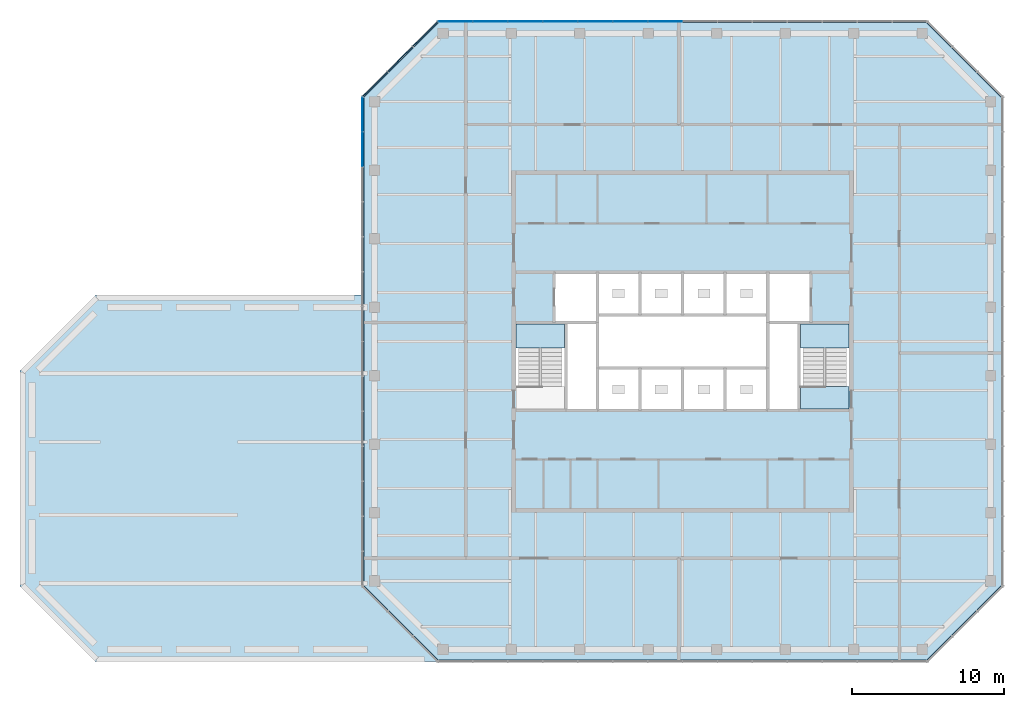
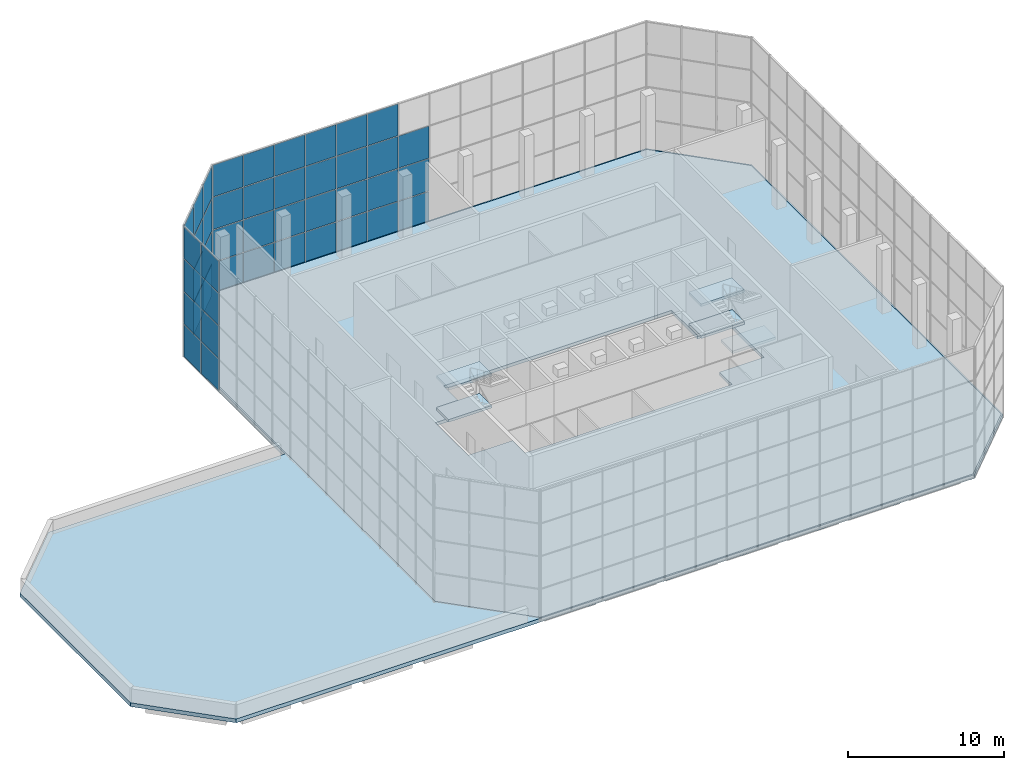
# One storey, part 14 of 19: 47 plates, 7 slabs, 5 elements without a shape of their own.
"""IFC4 building model written with IfcOpenShell, lengths in metres."""

from ifc_helpers import new_model, si_unit, direction, frame, origin, origin_2d, place, context, subcontext, project, spatial, polyline, rectangle, outline, extrude, material, layer, layer_set, constituent, constituent_set, type_object, element, aggregate, save


model = new_model("IFC4")

# Units and contexts
model_context = context("Model", 3, precision=1e-05, world=origin(), true_north=direction((0.0, 1.0)))
body_context = subcontext(model_context, "Body", "Model", "MODEL_VIEW")
ifc_project = project(units=[si_unit("LENGTHUNIT", "METRE"), si_unit("AREAUNIT", "SQUARE_METRE"), si_unit("VOLUMEUNIT", "CUBIC_METRE"), si_unit("PLANEANGLEUNIT", "RADIAN"), si_unit("MASSUNIT", "GRAM", prefix="KILO")], contexts=[model_context])

# Site, building, storey
site_placement = place(None, origin())
site = spatial("IfcSite", under=ifc_project, at=site_placement, CompositionType="ELEMENT")
building_placement = place(site_placement, origin())
building = spatial("IfcBuilding", under=site, at=building_placement, Name="Quoin Convention Tower", CompositionType="ELEMENT")
storey_placement = place(building_placement, frame((0.0, 0.0, 263.699951171875)))
storey = spatial("IfcBuildingStorey", under=building, at=storey_placement, Name="L69", CompositionType="ELEMENT", Elevation=263.699951171875)

# Curtain wall, plates
ifc_material_1 = material(Name="Aluminium", Category="aluminium")
ifc_constituent_1 = constituent(ifc_material_1, Name="Frame")
ifc_material_2 = material(Name="Insulated glass", Category="glass")
ifc_constituent_2 = constituent(ifc_material_2, Name="Glazing")
ifc_constituent_set = constituent_set(constituents=[ifc_constituent_1, ifc_constituent_2], Name="Aluminium")
curtain_wall_type = type_object("IfcCurtainWallType", Name="Lantern wall system", PredefinedType="NOTDEFINED", material=ifc_constituent_set)
curtain_wall_1_placement = place(storey_placement, origin())
curtain_wall_1 = element("IfcCurtainWall", 1, at=curtain_wall_1_placement, inside=storey, type_object=curtain_wall_type, Name="crn-LNW-72000_81000", PredefinedType="NOTDEFINED")
ifc_layer_1 = layer(ifc_material_2, 0.048095703125)
ifc_layer_set_1 = layer_set([ifc_layer_1], Name="Insulated glass")
plate_type = type_object("IfcPlateType", Name="Lantern wall glazing unit 48", PredefinedType="CURTAIN_PANEL", material=ifc_layer_set_1)
plate_1_placement = place(storey_placement, frame((55.1015625, 81.7900390625, -0.18994140625), z_axis=(0.0, 0.0, 1.0), x_axis=(-1.0, 0.0, 0.0)))
plate_1 = element("IfcPlate", 2, at=plate_1_placement, type_object=plate_type, Name="CW5 panel 8.1", PredefinedType="CURTAIN_PANEL", context=body_context, shape_type="SweptSolid", body=[
    extrude(rectangle(XDim=2.23681640625, YDim=0.048095703125, at=origin_2d()), origin(), (0.0, 0.0, 1.0), 2.472412109375),
])
plate_2_placement = place(storey_placement, frame((55.1015625, 81.7900390625, 2.342529296875), z_axis=(0.0, 0.0, 1.0), x_axis=(-1.0, 0.0, 0.0)))
plate_2 = element("IfcPlate", 3, at=plate_2_placement, type_object=plate_type, Name="CW5 panel 8.2", PredefinedType="CURTAIN_PANEL", context=body_context, shape_type="SweptSolid", body=[
    extrude(rectangle(XDim=2.23681640625, YDim=0.048095703125, at=origin_2d()), origin(), (0.0, 0.0, 1.0), 2.50244140625),
])
plate_3_placement = place(storey_placement, frame((55.1015625, 81.7900390625, 4.905029296875), z_axis=(0.0, 0.0, 1.0), x_axis=(-1.0, 0.0, 0.0)))
plate_3 = element("IfcPlate", 4, at=plate_3_placement, type_object=plate_type, Name="CW5 panel 8.3", PredefinedType="CURTAIN_PANEL", context=body_context, shape_type="SweptSolid", body=[
    extrude(rectangle(XDim=2.23681640625, YDim=0.048095703125, at=origin_2d()), origin(), (0.0, 0.0, 1.0), 2.50244140625),
])
plate_4_placement = place(storey_placement, frame((52.804931640625, 81.7900390625, -0.18994140625), z_axis=(0.0, 0.0, 1.0), x_axis=(-1.0, 0.0, 0.0)))
plate_4 = element("IfcPlate", 5, at=plate_4_placement, type_object=plate_type, Name="CW5 panel 9.1", PredefinedType="CURTAIN_PANEL", context=body_context, shape_type="SweptSolid", body=[
    extrude(rectangle(XDim=2.23681640625, YDim=0.048095703125, at=origin_2d()), origin(), (0.0, 0.0, 1.0), 2.472412109375),
])
plate_5_placement = place(storey_placement, frame((52.804931640625, 81.7900390625, 2.342529296875), z_axis=(0.0, 0.0, 1.0), x_axis=(-1.0, 0.0, 0.0)))
plate_5 = element("IfcPlate", 6, at=plate_5_placement, type_object=plate_type, Name="CW5 panel 9.2", PredefinedType="CURTAIN_PANEL", context=body_context, shape_type="SweptSolid", body=[
    extrude(rectangle(XDim=2.23681640625, YDim=0.048095703125, at=origin_2d()), origin(), (0.0, 0.0, 1.0), 2.50244140625),
])
plate_6_placement = place(storey_placement, frame((52.804931640625, 81.7900390625, 4.905029296875), z_axis=(0.0, 0.0, 1.0), x_axis=(-1.0, 0.0, 0.0)))
plate_6 = element("IfcPlate", 7, at=plate_6_placement, type_object=plate_type, Name="CW5 panel 9.3", PredefinedType="CURTAIN_PANEL", context=body_context, shape_type="SweptSolid", body=[
    extrude(rectangle(XDim=2.23681640625, YDim=0.048095703125, at=origin_2d()), origin(), (0.0, 0.0, 1.0), 2.50244140625),
])
plate_7_placement = place(storey_placement, frame((52.804931640625, 81.7900390625, 7.4677734375), z_axis=(0.0, 0.0, 1.0), x_axis=(-1.0, 0.0, 0.0)))
plate_7 = element("IfcPlate", 8, at=plate_7_placement, type_object=plate_type, Name="CW5 panel 9.4", PredefinedType="CURTAIN_PANEL", context=body_context, shape_type="SweptSolid", body=[
    extrude(rectangle(XDim=2.23681640625, YDim=0.048095703125, at=origin_2d()), origin(), (0.0, 0.0, 1.0), 2.472412109375),
])
plate_8_placement = place(storey_placement, frame((50.508056640625, 81.7900390625, -0.18994140625), z_axis=(0.0, 0.0, 1.0), x_axis=(-1.0, 0.0, 0.0)))
plate_8 = element("IfcPlate", 9, at=plate_8_placement, type_object=plate_type, Name="CW5 panel 10.1", PredefinedType="CURTAIN_PANEL", context=body_context, shape_type="SweptSolid", body=[
    extrude(rectangle(XDim=2.23681640625, YDim=0.048095703125, at=origin_2d()), origin(), (0.0, 0.0, 1.0), 2.472412109375),
])
plate_9_placement = place(storey_placement, frame((50.508056640625, 81.7900390625, 2.342529296875), z_axis=(0.0, 0.0, 1.0), x_axis=(-1.0, 0.0, 0.0)))
plate_9 = element("IfcPlate", 10, at=plate_9_placement, type_object=plate_type, Name="CW5 panel 10.2", PredefinedType="CURTAIN_PANEL", context=body_context, shape_type="SweptSolid", body=[
    extrude(rectangle(XDim=2.23681640625, YDim=0.048095703125, at=origin_2d()), origin(), (0.0, 0.0, 1.0), 2.50244140625),
])
plate_10_placement = place(storey_placement, frame((50.508056640625, 81.7900390625, 4.905029296875), z_axis=(0.0, 0.0, 1.0), x_axis=(-1.0, 0.0, 0.0)))
plate_10 = element("IfcPlate", 11, at=plate_10_placement, type_object=plate_type, Name="CW5 panel 10.3", PredefinedType="CURTAIN_PANEL", context=body_context, shape_type="SweptSolid", body=[
    extrude(rectangle(XDim=2.23681640625, YDim=0.048095703125, at=origin_2d()), origin(), (0.0, 0.0, 1.0), 2.50244140625),
])
plate_11_placement = place(storey_placement, frame((50.508056640625, 81.7900390625, 7.4677734375), z_axis=(0.0, 0.0, 1.0), x_axis=(-1.0, 0.0, 0.0)))
plate_11 = element("IfcPlate", 12, at=plate_11_placement, type_object=plate_type, Name="CW5 panel 10.4", PredefinedType="CURTAIN_PANEL", context=body_context, shape_type="SweptSolid", body=[
    extrude(rectangle(XDim=2.23681640625, YDim=0.048095703125, at=origin_2d()), origin(), (0.0, 0.0, 1.0), 2.472412109375),
])
plate_12_placement = place(storey_placement, frame((48.21142578125, 81.7900390625, -0.18994140625), z_axis=(0.0, 0.0, 1.0), x_axis=(-1.0, 0.0, 0.0)))
plate_12 = element("IfcPlate", 13, at=plate_12_placement, type_object=plate_type, Name="CW5 panel 11.1", PredefinedType="CURTAIN_PANEL", context=body_context, shape_type="SweptSolid", body=[
    extrude(rectangle(XDim=2.23681640625, YDim=0.048095703125, at=origin_2d()), origin(), (0.0, 0.0, 1.0), 2.472412109375),
])
plate_13_placement = place(storey_placement, frame((48.21142578125, 81.7900390625, 2.342529296875), z_axis=(0.0, 0.0, 1.0), x_axis=(-1.0, 0.0, 0.0)))
plate_13 = element("IfcPlate", 14, at=plate_13_placement, type_object=plate_type, Name="CW5 panel 11.2", PredefinedType="CURTAIN_PANEL", context=body_context, shape_type="SweptSolid", body=[
    extrude(rectangle(XDim=2.23681640625, YDim=0.048095703125, at=origin_2d()), origin(), (0.0, 0.0, 1.0), 2.50244140625),
])
plate_14_placement = place(storey_placement, frame((48.21142578125, 81.7900390625, 4.905029296875), z_axis=(0.0, 0.0, 1.0), x_axis=(-1.0, 0.0, 0.0)))
plate_14 = element("IfcPlate", 15, at=plate_14_placement, type_object=plate_type, Name="CW5 panel 11.3", PredefinedType="CURTAIN_PANEL", context=body_context, shape_type="SweptSolid", body=[
    extrude(rectangle(XDim=2.23681640625, YDim=0.048095703125, at=origin_2d()), origin(), (0.0, 0.0, 1.0), 2.50244140625),
])
plate_15_placement = place(storey_placement, frame((48.21142578125, 81.7900390625, 7.4677734375), z_axis=(0.0, 0.0, 1.0), x_axis=(-1.0, 0.0, 0.0)))
plate_15 = element("IfcPlate", 16, at=plate_15_placement, type_object=plate_type, Name="CW5 panel 11.4", PredefinedType="CURTAIN_PANEL", context=body_context, shape_type="SweptSolid", body=[
    extrude(rectangle(XDim=2.23681640625, YDim=0.048095703125, at=origin_2d()), origin(), (0.0, 0.0, 1.0), 2.472412109375),
])
plate_16_placement = place(storey_placement, frame((45.91455078125, 81.7900390625, -0.18994140625), z_axis=(0.0, 0.0, 1.0), x_axis=(-1.0, 0.0, 0.0)))
plate_16 = element("IfcPlate", 17, at=plate_16_placement, type_object=plate_type, Name="CW5 panel 12.1", PredefinedType="CURTAIN_PANEL", context=body_context, shape_type="SweptSolid", body=[
    extrude(rectangle(XDim=2.23681640625, YDim=0.048095703125, at=origin_2d()), origin(), (0.0, 0.0, 1.0), 2.472412109375),
])
plate_17_placement = place(storey_placement, frame((45.91455078125, 81.7900390625, 2.342529296875), z_axis=(0.0, 0.0, 1.0), x_axis=(-1.0, 0.0, 0.0)))
plate_17 = element("IfcPlate", 18, at=plate_17_placement, type_object=plate_type, Name="CW5 panel 12.2", PredefinedType="CURTAIN_PANEL", context=body_context, shape_type="SweptSolid", body=[
    extrude(rectangle(XDim=2.23681640625, YDim=0.048095703125, at=origin_2d()), origin(), (0.0, 0.0, 1.0), 2.50244140625),
])
plate_18_placement = place(storey_placement, frame((45.91455078125, 81.7900390625, 4.905029296875), z_axis=(0.0, 0.0, 1.0), x_axis=(-1.0, 0.0, 0.0)))
plate_18 = element("IfcPlate", 19, at=plate_18_placement, type_object=plate_type, Name="CW5 panel 12.3", PredefinedType="CURTAIN_PANEL", context=body_context, shape_type="SweptSolid", body=[
    extrude(rectangle(XDim=2.23681640625, YDim=0.048095703125, at=origin_2d()), origin(), (0.0, 0.0, 1.0), 2.50244140625),
])
plate_19_placement = place(storey_placement, frame((45.91455078125, 81.7900390625, 7.4677734375), z_axis=(0.0, 0.0, 1.0), x_axis=(-1.0, 0.0, 0.0)))
plate_19 = element("IfcPlate", 20, at=plate_19_placement, type_object=plate_type, Name="CW5 panel 12.4", PredefinedType="CURTAIN_PANEL", context=body_context, shape_type="SweptSolid", body=[
    extrude(rectangle(XDim=2.23681640625, YDim=0.048095703125, at=origin_2d()), origin(), (0.0, 0.0, 1.0), 2.472412109375),
])
plate_20_placement = place(storey_placement, frame((43.617919921875, 81.7900390625, -0.18994140625), z_axis=(0.0, 0.0, 1.0), x_axis=(-1.0, 0.0, 0.0)))
plate_20 = element("IfcPlate", 21, at=plate_20_placement, type_object=plate_type, Name="CW5 panel 13.1", PredefinedType="CURTAIN_PANEL", context=body_context, shape_type="SweptSolid", body=[
    extrude(rectangle(XDim=2.23681640625, YDim=0.048095703125, at=origin_2d()), origin(), (0.0, 0.0, 1.0), 2.472412109375),
])
plate_21_placement = place(storey_placement, frame((43.617919921875, 81.7900390625, 2.342529296875), z_axis=(0.0, 0.0, 1.0), x_axis=(-1.0, 0.0, 0.0)))
plate_21 = element("IfcPlate", 22, at=plate_21_placement, type_object=plate_type, Name="CW5 panel 13.2", PredefinedType="CURTAIN_PANEL", context=body_context, shape_type="SweptSolid", body=[
    extrude(rectangle(XDim=2.23681640625, YDim=0.048095703125, at=origin_2d()), origin(), (0.0, 0.0, 1.0), 2.50244140625),
])
plate_22_placement = place(storey_placement, frame((43.617919921875, 81.7900390625, 4.905029296875), z_axis=(0.0, 0.0, 1.0), x_axis=(-1.0, 0.0, 0.0)))
plate_22 = element("IfcPlate", 23, at=plate_22_placement, type_object=plate_type, Name="CW5 panel 13.3", PredefinedType="CURTAIN_PANEL", context=body_context, shape_type="SweptSolid", body=[
    extrude(rectangle(XDim=2.23681640625, YDim=0.048095703125, at=origin_2d()), origin(), (0.0, 0.0, 1.0), 2.50244140625),
])
plate_23_placement = place(storey_placement, frame((43.617919921875, 81.7900390625, 7.4677734375), z_axis=(0.0, 0.0, 1.0), x_axis=(-1.0, 0.0, 0.0)))
plate_23 = element("IfcPlate", 24, at=plate_23_placement, type_object=plate_type, Name="CW5 panel 13.4", PredefinedType="CURTAIN_PANEL", context=body_context, shape_type="SweptSolid", body=[
    extrude(rectangle(XDim=2.23681640625, YDim=0.048095703125, at=origin_2d()), origin(), (0.0, 0.0, 1.0), 2.472412109375),
])
plate_24_placement = place(storey_placement, frame((41.336181640625, 81.7900390625, -0.18994140625), z_axis=(0.0, 0.0, 1.0), x_axis=(-1.0, 0.0, 0.0)))
plate_24 = element("IfcPlate", 25, at=plate_24_placement, type_object=plate_type, Name="CW5 panel 14.1", PredefinedType="CURTAIN_PANEL", context=body_context, shape_type="SweptSolid", body=[
    extrude(rectangle(XDim=2.206787109375, YDim=0.048095703125, at=origin_2d()), origin(), (0.0, 0.0, 1.0), 2.472412109375),
])
plate_25_placement = place(storey_placement, frame((41.336181640625, 81.7900390625, 2.342529296875), z_axis=(0.0, 0.0, 1.0), x_axis=(-1.0, 0.0, 0.0)))
plate_25 = element("IfcPlate", 26, at=plate_25_placement, type_object=plate_type, Name="CW5 panel 14.2", PredefinedType="CURTAIN_PANEL", context=body_context, shape_type="SweptSolid", body=[
    extrude(rectangle(XDim=2.206787109375, YDim=0.048095703125, at=origin_2d()), origin(), (0.0, 0.0, 1.0), 2.50244140625),
])
plate_26_placement = place(storey_placement, frame((41.336181640625, 81.7900390625, 4.905029296875), z_axis=(0.0, 0.0, 1.0), x_axis=(-1.0, 0.0, 0.0)))
plate_26 = element("IfcPlate", 27, at=plate_26_placement, type_object=plate_type, Name="CW5 panel 14.3", PredefinedType="CURTAIN_PANEL", context=body_context, shape_type="SweptSolid", body=[
    extrude(rectangle(XDim=2.206787109375, YDim=0.048095703125, at=origin_2d()), origin(), (0.0, 0.0, 1.0), 2.50244140625),
])
plate_27_placement = place(storey_placement, frame((41.336181640625, 81.7900390625, 7.4677734375), z_axis=(0.0, 0.0, 1.0), x_axis=(-1.0, 0.0, 0.0)))
plate_27 = element("IfcPlate", 28, at=plate_27_placement, type_object=plate_type, Name="CW5 panel 14.4", PredefinedType="CURTAIN_PANEL", context=body_context, shape_type="SweptSolid", body=[
    extrude(rectangle(XDim=2.206787109375, YDim=0.048095703125, at=origin_2d()), origin(), (0.0, 0.0, 1.0), 2.472412109375),
])
aggregate(curtain_wall_1, [plate_1, plate_2, plate_3, plate_4, plate_5, plate_6, plate_7, plate_8, plate_9, plate_10, plate_11, plate_12, plate_13, plate_14, plate_15, plate_16, plate_17, plate_18, plate_19, plate_20, plate_21, plate_22, plate_23, plate_24, plate_25, plate_26, plate_27])

curtain_wall_2_placement = place(storey_placement, origin())
curtain_wall_2 = element("IfcCurtainWall", 29, at=curtain_wall_2_placement, inside=storey, type_object=curtain_wall_type, Name="crn-LNW-40500_81000", PredefinedType="NOTDEFINED")
plate_28_placement = place(storey_placement, frame((39.3349609375, 80.9521484375, -0.18994140625), z_axis=(0.0, 0.0, 1.0), x_axis=(-0.707106781187, -0.707106781187, 0.0)))
plate_28 = element("IfcPlate", 30, at=plate_28_placement, type_object=plate_type, Name="CW5 panel 1.1", PredefinedType="CURTAIN_PANEL", context=body_context, shape_type="SweptSolid", body=[
    extrude(rectangle(XDim=2.24951171875, YDim=0.048095703125, at=origin_2d()), origin(), (0.0, 0.0, 1.0), 2.472412109375),
])
plate_29_placement = place(storey_placement, frame((39.3349609375, 80.9521484375, 2.342529296875), z_axis=(0.0, 0.0, 1.0), x_axis=(-0.707106781187, -0.707106781187, 0.0)))
plate_29 = element("IfcPlate", 31, at=plate_29_placement, type_object=plate_type, Name="CW5 panel 1.2", PredefinedType="CURTAIN_PANEL", context=body_context, shape_type="SweptSolid", body=[
    extrude(rectangle(XDim=2.24951171875, YDim=0.048095703125, at=origin_2d()), origin(), (0.0, 0.0, 1.0), 2.50244140625),
])
plate_30_placement = place(storey_placement, frame((39.3349609375, 80.9521484375, 4.905029296875), z_axis=(0.0, 0.0, 1.0), x_axis=(-0.707106781187, -0.707106781187, 0.0)))
plate_30 = element("IfcPlate", 32, at=plate_30_placement, type_object=plate_type, Name="CW5 panel 1.3", PredefinedType="CURTAIN_PANEL", context=body_context, shape_type="SweptSolid", body=[
    extrude(rectangle(XDim=2.24951171875, YDim=0.048095703125, at=origin_2d()), origin(), (0.0, 0.0, 1.0), 2.50244140625),
])
plate_31_placement = place(storey_placement, frame((39.3349609375, 80.9521484375, 7.4677734375), z_axis=(0.0, 0.0, 1.0), x_axis=(-0.707106781187, -0.707106781187, 0.0)))
plate_31 = element("IfcPlate", 33, at=plate_31_placement, type_object=plate_type, Name="CW5 panel 1.4", PredefinedType="CURTAIN_PANEL", context=body_context, shape_type="SweptSolid", body=[
    extrude(rectangle(XDim=2.24951171875, YDim=0.048095703125, at=origin_2d()), origin(), (0.0, 0.0, 1.0), 2.472412109375),
])
plate_32_placement = place(storey_placement, frame((37.69140625, 79.30859375, -0.18994140625), z_axis=(0.0, 0.0, 1.0), x_axis=(-0.707106781187, -0.707106781187, 0.0)))
plate_32 = element("IfcPlate", 34, at=plate_32_placement, type_object=plate_type, Name="CW5 panel 2.1", PredefinedType="CURTAIN_PANEL", context=body_context, shape_type="SweptSolid", body=[
    extrude(rectangle(XDim=2.279541015625, YDim=0.048095703125, at=origin_2d()), origin(), (0.0, 0.0, 1.0), 2.472412109375),
])
plate_33_placement = place(storey_placement, frame((37.69140625, 79.30859375, 2.342529296875), z_axis=(0.0, 0.0, 1.0), x_axis=(-0.707106781187, -0.707106781187, 0.0)))
plate_33 = element("IfcPlate", 35, at=plate_33_placement, type_object=plate_type, Name="CW5 panel 2.2", PredefinedType="CURTAIN_PANEL", context=body_context, shape_type="SweptSolid", body=[
    extrude(rectangle(XDim=2.279541015625, YDim=0.048095703125, at=origin_2d()), origin(), (0.0, 0.0, 1.0), 2.50244140625),
])
plate_34_placement = place(storey_placement, frame((37.69140625, 79.30859375, 4.905029296875), z_axis=(0.0, 0.0, 1.0), x_axis=(-0.707106781187, -0.707106781187, 0.0)))
plate_34 = element("IfcPlate", 36, at=plate_34_placement, type_object=plate_type, Name="CW5 panel 2.3", PredefinedType="CURTAIN_PANEL", context=body_context, shape_type="SweptSolid", body=[
    extrude(rectangle(XDim=2.279541015625, YDim=0.048095703125, at=origin_2d()), origin(), (0.0, 0.0, 1.0), 2.50244140625),
])
plate_35_placement = place(storey_placement, frame((37.69140625, 79.30859375, 7.4677734375), z_axis=(0.0, 0.0, 1.0), x_axis=(-0.707106781187, -0.707106781187, 0.0)))
plate_35 = element("IfcPlate", 37, at=plate_35_placement, type_object=plate_type, Name="CW5 panel 2.4", PredefinedType="CURTAIN_PANEL", context=body_context, shape_type="SweptSolid", body=[
    extrude(rectangle(XDim=2.279541015625, YDim=0.048095703125, at=origin_2d()), origin(), (0.0, 0.0, 1.0), 2.472412109375),
])
plate_36_placement = place(storey_placement, frame((36.0478515625, 77.6650390625, -0.18994140625), z_axis=(0.0, 0.0, 1.0), x_axis=(-0.707106781187, -0.707106781187, 0.0)))
plate_36 = element("IfcPlate", 38, at=plate_36_placement, type_object=plate_type, Name="CW5 panel 3.1", PredefinedType="CURTAIN_PANEL", context=body_context, shape_type="SweptSolid", body=[
    extrude(rectangle(XDim=2.24951171875, YDim=0.048095703125, at=origin_2d()), origin(), (0.0, 0.0, 1.0), 2.472412109375),
])
plate_37_placement = place(storey_placement, frame((36.0478515625, 77.6650390625, 2.342529296875), z_axis=(0.0, 0.0, 1.0), x_axis=(-0.707106781187, -0.707106781187, 0.0)))
plate_37 = element("IfcPlate", 39, at=plate_37_placement, type_object=plate_type, Name="CW5 panel 3.2", PredefinedType="CURTAIN_PANEL", context=body_context, shape_type="SweptSolid", body=[
    extrude(rectangle(XDim=2.24951171875, YDim=0.048095703125, at=origin_2d()), origin(), (0.0, 0.0, 1.0), 2.50244140625),
])
plate_38_placement = place(storey_placement, frame((36.0478515625, 77.6650390625, 4.905029296875), z_axis=(0.0, 0.0, 1.0), x_axis=(-0.707106781187, -0.707106781187, 0.0)))
plate_38 = element("IfcPlate", 40, at=plate_38_placement, type_object=plate_type, Name="CW5 panel 3.3", PredefinedType="CURTAIN_PANEL", context=body_context, shape_type="SweptSolid", body=[
    extrude(rectangle(XDim=2.24951171875, YDim=0.048095703125, at=origin_2d()), origin(), (0.0, 0.0, 1.0), 2.50244140625),
])
plate_39_placement = place(storey_placement, frame((36.0478515625, 77.6650390625, 7.4677734375), z_axis=(0.0, 0.0, 1.0), x_axis=(-0.707106781187, -0.707106781187, 0.0)))
plate_39 = element("IfcPlate", 41, at=plate_39_placement, type_object=plate_type, Name="CW5 panel 3.4", PredefinedType="CURTAIN_PANEL", context=body_context, shape_type="SweptSolid", body=[
    extrude(rectangle(XDim=2.24951171875, YDim=0.048095703125, at=origin_2d()), origin(), (0.0, 0.0, 1.0), 2.472412109375),
])
aggregate(curtain_wall_2, [plate_28, plate_29, plate_30, plate_31, plate_32, plate_33, plate_34, plate_35, plate_36, plate_37, plate_38, plate_39])

curtain_wall_3_placement = place(storey_placement, origin())
curtain_wall_3 = element("IfcCurtainWall", 42, at=curtain_wall_3_placement, inside=storey, type_object=curtain_wall_type, Name="crn-LNW-36000_76500", PredefinedType="NOTDEFINED")
plate_40_placement = place(storey_placement, frame((35.2099609375, 75.663818359375, -0.18994140625), z_axis=(0.0, 0.0, 1.0), x_axis=(0.0, -1.0, 0.0)))
plate_40 = element("IfcPlate", 43, at=plate_40_placement, type_object=plate_type, Name="CW5 panel 1.1", PredefinedType="CURTAIN_PANEL", context=body_context, shape_type="SweptSolid", body=[
    extrude(rectangle(XDim=2.206787109375, YDim=0.048095703125, at=origin_2d()), origin(), (0.0, 0.0, 1.0), 2.472412109375),
])
plate_41_placement = place(storey_placement, frame((35.2099609375, 75.663818359375, 2.342529296875), z_axis=(0.0, 0.0, 1.0), x_axis=(0.0, -1.0, 0.0)))
plate_41 = element("IfcPlate", 44, at=plate_41_placement, type_object=plate_type, Name="CW5 panel 1.2", PredefinedType="CURTAIN_PANEL", context=body_context, shape_type="SweptSolid", body=[
    extrude(rectangle(XDim=2.206787109375, YDim=0.048095703125, at=origin_2d()), origin(), (0.0, 0.0, 1.0), 2.50244140625),
])
plate_42_placement = place(storey_placement, frame((35.2099609375, 75.663818359375, 4.905029296875), z_axis=(0.0, 0.0, 1.0), x_axis=(0.0, -1.0, 0.0)))
plate_42 = element("IfcPlate", 45, at=plate_42_placement, type_object=plate_type, Name="CW5 panel 1.3", PredefinedType="CURTAIN_PANEL", context=body_context, shape_type="SweptSolid", body=[
    extrude(rectangle(XDim=2.206787109375, YDim=0.048095703125, at=origin_2d()), origin(), (0.0, 0.0, 1.0), 2.50244140625),
])
plate_43_placement = place(storey_placement, frame((35.2099609375, 75.663818359375, 7.4677734375), z_axis=(0.0, 0.0, 1.0), x_axis=(0.0, -1.0, 0.0)))
plate_43 = element("IfcPlate", 46, at=plate_43_placement, type_object=plate_type, Name="CW5 panel 1.4", PredefinedType="CURTAIN_PANEL", context=body_context, shape_type="SweptSolid", body=[
    extrude(rectangle(XDim=2.206787109375, YDim=0.048095703125, at=origin_2d()), origin(), (0.0, 0.0, 1.0), 2.472412109375),
])
plate_44_placement = place(storey_placement, frame((35.2099609375, 73.382080078125, -0.18994140625), z_axis=(0.0, 0.0, 1.0), x_axis=(0.0, -1.0, 0.0)))
plate_44 = element("IfcPlate", 47, at=plate_44_placement, type_object=plate_type, Name="CW5 panel 2.1", PredefinedType="CURTAIN_PANEL", context=body_context, shape_type="SweptSolid", body=[
    extrude(rectangle(XDim=2.23681640625, YDim=0.048095703125, at=origin_2d()), origin(), (0.0, 0.0, 1.0), 2.472412109375),
])
plate_45_placement = place(storey_placement, frame((35.2099609375, 73.382080078125, 2.342529296875), z_axis=(0.0, 0.0, 1.0), x_axis=(0.0, -1.0, 0.0)))
plate_45 = element("IfcPlate", 48, at=plate_45_placement, type_object=plate_type, Name="CW5 panel 2.2", PredefinedType="CURTAIN_PANEL", context=body_context, shape_type="SweptSolid", body=[
    extrude(rectangle(XDim=2.23681640625, YDim=0.048095703125, at=origin_2d()), origin(), (0.0, 0.0, 1.0), 2.50244140625),
])
plate_46_placement = place(storey_placement, frame((35.2099609375, 73.382080078125, 4.905029296875), z_axis=(0.0, 0.0, 1.0), x_axis=(0.0, -1.0, 0.0)))
plate_46 = element("IfcPlate", 49, at=plate_46_placement, type_object=plate_type, Name="CW5 panel 2.3", PredefinedType="CURTAIN_PANEL", context=body_context, shape_type="SweptSolid", body=[
    extrude(rectangle(XDim=2.23681640625, YDim=0.048095703125, at=origin_2d()), origin(), (0.0, 0.0, 1.0), 2.50244140625),
])
plate_47_placement = place(storey_placement, frame((35.2099609375, 73.382080078125, 7.4677734375), z_axis=(0.0, 0.0, 1.0), x_axis=(0.0, -1.0, 0.0)))
plate_47 = element("IfcPlate", 50, at=plate_47_placement, type_object=plate_type, Name="CW5 panel 2.4", PredefinedType="CURTAIN_PANEL", context=body_context, shape_type="SweptSolid", body=[
    extrude(rectangle(XDim=2.23681640625, YDim=0.048095703125, at=origin_2d()), origin(), (0.0, 0.0, 1.0), 2.472412109375),
])
aggregate(curtain_wall_3, [plate_40, plate_41, plate_42, plate_43, plate_44, plate_45, plate_46, plate_47])

# Slabs
ifc_material_3 = material(Name="Concrete C50", Category="concrete")
ifc_layer_2 = layer(ifc_material_3, 0.300048828125)
ifc_layer_set_2 = layer_set([ifc_layer_2], Name="Concrete C50")
slab_type_1 = type_object("IfcSlabType", Name="RC ROOF SLAB 300 C50", PredefinedType="ROOF", material=ifc_layer_set_2)
slab_1_placement = place(storey_placement, frame((0.0, 0.0, -0.300048828125)))
element("IfcSlab", 51, at=slab_1_placement, inside=storey, type_object=slab_type_1, Name="slb-L69-rf", PredefinedType="ROOF", context=body_context, shape_type="SweptSolid", body=[
    extrude(outline(polyline([(17.677001953125, 39.699951171875), (17.675048828125, 39.7001953125), (17.673095703125, 39.700439453125), (17.671142578125, 39.700927734375), (17.669189453125, 39.701416015625), (17.66748046875, 39.702392578125), (17.665771484375, 39.703369140625), (17.664306640625, 39.70458984375), (17.662841796875, 39.705810546875), (12.705810546875, 44.662841796875), (12.70458984375, 44.664306640625), (12.703369140625, 44.665771484375), (12.702392578125, 44.66748046875), (12.701416015625, 44.669189453125), (12.700927734375, 44.671142578125), (12.700439453125, 44.673095703125), (12.7001953125, 44.675048828125), (12.699951171875, 44.677001953125), (12.699951171875, 58.822998046875), (12.7001953125, 58.824951171875), (12.700439453125, 58.826904296875), (12.700927734375, 58.828857421875), (12.701416015625, 58.830810546875), (12.702392578125, 58.83251953125), (12.703369140625, 58.834228515625), (12.70458984375, 58.835693359375), (12.705810546875, 58.837158203125), (17.662841796875, 63.794189453125), (17.664306640625, 63.79541015625), (17.665771484375, 63.796630859375), (17.66748046875, 63.797607421875), (17.669189453125, 63.798583984375), (17.671142578125, 63.799072265625), (17.673095703125, 63.799560546875), (17.675048828125, 63.7998046875), (17.677001953125, 63.800048828125), (35.199462890625, 63.800048828125), (35.199951171875, 63.800048828125), (35.199951171875, 63.800537109375), (35.199951171875, 76.822998046875), (35.2001953125, 76.824951171875), (35.200439453125, 76.826904296875), (35.200927734375, 76.828857421875), (35.201416015625, 76.830810546875), (35.202392578125, 76.83251953125), (35.203369140625, 76.834228515625), (35.20458984375, 76.835693359375), (35.205810546875, 76.837158203125), (40.162841796875, 81.794189453125), (40.164306640625, 81.79541015625), (40.165771484375, 81.796630859375), (40.16748046875, 81.797607421875), (40.169189453125, 81.798583984375), (40.171142578125, 81.799072265625), (40.173095703125, 81.799560546875), (40.175048828125, 81.7998046875), (40.177001953125, 81.800048828125), (72.322998046875, 81.800048828125), (72.324951171875, 81.7998046875), (72.326904296875, 81.799560546875), (72.328857421875, 81.799072265625), (72.330810546875, 81.798583984375), (72.33251953125, 81.797607421875), (72.334228515625, 81.796630859375), (72.335693359375, 81.79541015625), (72.337158203125, 81.794189453125), (77.294189453125, 76.837158203125), (77.29541015625, 76.835693359375), (77.296630859375, 76.834228515625), (77.297607421875, 76.83251953125), (77.298583984375, 76.830810546875), (77.299072265625, 76.828857421875), (77.299560546875, 76.826904296875), (77.2998046875, 76.824951171875), (77.300048828125, 76.822998046875), (77.300048828125, 44.677001953125), (77.2998046875, 44.675048828125), (77.299560546875, 44.673095703125), (77.299072265625, 44.671142578125), (77.298583984375, 44.669189453125), (77.297607421875, 44.66748046875), (77.296630859375, 44.665771484375), (77.29541015625, 44.664306640625), (77.294189453125, 44.662841796875), (72.337158203125, 39.705810546875), (72.335693359375, 39.70458984375), (72.334228515625, 39.703369140625), (72.33251953125, 39.702392578125), (72.330810546875, 39.701416015625), (72.328857421875, 39.700927734375), (72.326904296875, 39.700439453125), (72.324951171875, 39.7001953125), (72.322998046875, 39.699951171875), (17.677001953125, 39.699951171875)]), holes=[polyline([(35.300048828125, 44.710205078125), (35.30029296875, 44.709716796875), (40.209716796875, 39.80029296875), (40.210205078125, 39.800048828125), (40.21044921875, 39.800048828125), (72.28955078125, 39.800048828125), (72.289794921875, 39.800048828125), (72.290283203125, 39.80029296875), (77.19970703125, 44.709716796875), (77.199951171875, 44.710205078125), (77.199951171875, 44.71044921875), (77.199951171875, 76.78955078125), (77.199951171875, 76.789794921875), (77.19970703125, 76.790283203125), (72.290283203125, 81.69970703125), (72.289794921875, 81.699951171875), (72.28955078125, 81.699951171875), (40.21044921875, 81.699951171875), (40.210205078125, 81.699951171875), (40.209716796875, 81.69970703125), (35.30029296875, 76.790283203125), (35.300048828125, 76.789794921875), (35.300048828125, 76.78955078125), (35.300048828125, 44.71044921875), (35.300048828125, 44.710205078125)])]), origin(), (0.0, 0.0, 1.0), 0.300048828125),
])
ifc_layer_3 = layer(ifc_material_3, 0.25)
ifc_layer_set_3 = layer_set([ifc_layer_3], Name="Concrete C50")
slab_type_2 = type_object("IfcSlabType", Name="RC SLAB 250 C50", PredefinedType="FLOOR", material=ifc_layer_set_3)
slab_2_placement = place(storey_placement, frame((0.0, 0.0, -0.25)))
element("IfcSlab", 52, at=slab_2_placement, inside=storey, type_object=slab_type_2, Name="slb-L69", PredefinedType="FLOOR", context=body_context, shape_type="SweptSolid", body=[
    extrude(outline(polyline([(40.210205078125, 39.800048828125), (35.300048828125, 44.710205078125), (35.300048828125, 76.789794921875), (40.210205078125, 81.699951171875), (72.289794921875, 81.699951171875), (77.199951171875, 76.789794921875), (77.199951171875, 44.710205078125), (72.289794921875, 39.800048828125), (40.210205078125, 39.800048828125)]), holes=[polyline([(56.25, 56.199951171875), (59.050048828125, 56.199951171875), (61.85009765625, 56.199951171875), (63.89990234375, 56.199951171875), (63.89990234375, 57.800537109375), (67.199951171875, 57.800537109375), (67.199951171875, 62.0), (64.699951171875, 62.0), (64.699951171875, 65.300048828125), (61.85009765625, 65.300048828125), (59.050048828125, 65.300048828125), (56.25, 65.300048828125), (53.449951171875, 65.300048828125), (50.64990234375, 65.300048828125), (47.800048828125, 65.300048828125), (47.800048828125, 62.0), (45.300048828125, 62.0), (45.300048828125, 57.800537109375), (48.60009765625, 57.800537109375), (48.60009765625, 56.199951171875), (50.64990234375, 56.199951171875), (53.449951171875, 56.199951171875), (56.25, 56.199951171875)])]), origin(), (0.0, 0.0, 1.0), 0.25),
])

# Stair, slabs
ifc_material_4 = material(Name="Concrete C40", Category="concrete")
stair_type = type_object("IfcStairType", Name="Exit stair four-flight 1350", PredefinedType="DOUBLE_RETURN_STAIR", material=ifc_material_4)
stair_1_placement = place(storey_placement, origin())
stair_1 = element("IfcStair", 53, at=stair_1_placement, inside=storey, type_object=stair_type, Name="SD1 L69", PredefinedType="DOUBLE_RETURN_STAIR")
ifc_layer_4 = layer(ifc_material_4, 0.199951171875)
ifc_layer_set_4 = layer_set([ifc_layer_4], Name="Concrete C40")
slab_type_3 = type_object("IfcSlabType", Name="Stair landing 200", PredefinedType="LANDING", material=ifc_layer_set_4)
slab_3_placement = place(storey_placement, frame((0.0, 0.0, 1.050048828125)))
slab_3 = element("IfcSlab", 54, at=slab_3_placement, type_object=slab_type_3, Name="ST1 landing 1", PredefinedType="LANDING", context=body_context, shape_type="SweptSolid", body=[
    extrude(outline(polyline([(45.300048828125, 60.320068359375), (48.5, 60.320068359375), (48.5, 61.89990234375), (45.300048828125, 61.89990234375), (45.300048828125, 60.320068359375)])), origin(), (0.0, 0.0, 1.0), 0.199951171875),
])
slab_4_placement = place(storey_placement, frame((0.0, 0.0, 3.550048828125)))
slab_4 = element("IfcSlab", 55, at=slab_4_placement, type_object=slab_type_3, Name="ST1 landing 3", PredefinedType="LANDING", context=body_context, shape_type="SweptSolid", body=[
    extrude(outline(polyline([(45.300048828125, 60.320068359375), (48.5, 60.320068359375), (48.5, 61.89990234375), (45.300048828125, 61.89990234375), (45.300048828125, 60.320068359375)])), origin(), (0.0, 0.0, 1.0), 0.199951171875),
])
aggregate(stair_1, [slab_3, slab_4])

stair_2_placement = place(storey_placement, origin())
stair_2 = element("IfcStair", 56, at=stair_2_placement, inside=storey, type_object=stair_type, Name="SD2 L69", PredefinedType="DOUBLE_RETURN_STAIR")
slab_5_placement = place(storey_placement, frame((0.0, 0.0, 1.050048828125)))
slab_5 = element("IfcSlab", 57, at=slab_5_placement, type_object=slab_type_3, Name="ST2 landing 1", PredefinedType="LANDING", context=body_context, shape_type="SweptSolid", body=[
    extrude(outline(polyline([(64.0, 60.320068359375), (67.199951171875, 60.320068359375), (67.199951171875, 61.89990234375), (64.0, 61.89990234375), (64.0, 60.320068359375)])), origin(), (0.0, 0.0, 1.0), 0.199951171875),
])
slab_6_placement = place(storey_placement, frame((0.0, 0.0, 2.300048828125)))
slab_6 = element("IfcSlab", 58, at=slab_6_placement, type_object=slab_type_3, Name="ST2 landing 2", PredefinedType="LANDING", context=body_context, shape_type="SweptSolid", body=[
    extrude(outline(polyline([(64.0, 56.300048828125), (67.199951171875, 56.300048828125), (67.199951171875, 57.800048828125), (64.0, 57.800048828125), (64.0, 56.300048828125)])), origin(), (0.0, 0.0, 1.0), 0.199951171875),
])
slab_7_placement = place(storey_placement, frame((0.0, 0.0, 3.550048828125)))
slab_7 = element("IfcSlab", 59, at=slab_7_placement, type_object=slab_type_3, Name="ST2 landing 3", PredefinedType="LANDING", context=body_context, shape_type="SweptSolid", body=[
    extrude(outline(polyline([(64.0, 60.320068359375), (67.199951171875, 60.320068359375), (67.199951171875, 61.89990234375), (64.0, 61.89990234375), (64.0, 60.320068359375)])), origin(), (0.0, 0.0, 1.0), 0.199951171875),
])
aggregate(stair_2, [slab_5, slab_6, slab_7])

save(model, "model.ifc")
